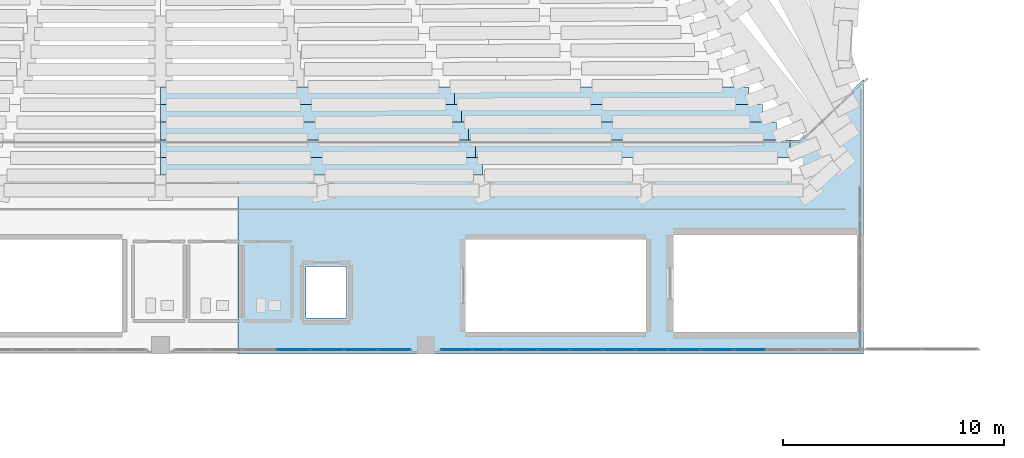
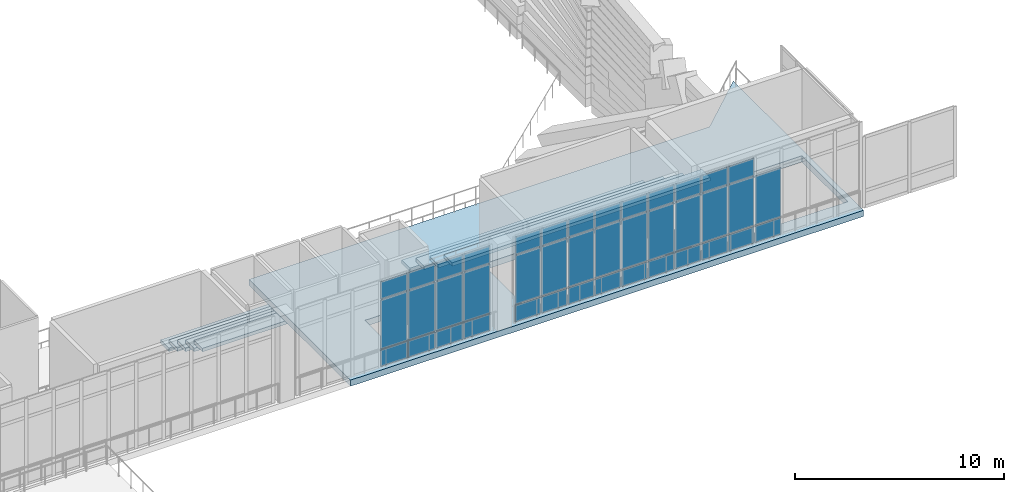
# One storey, part 34 of 55: 41 plates, 10 slabs, 2 elements without a shape of their own.
"""IFC4 building model written with IfcOpenShell, lengths in metres."""

import ifcopenshell
import ifcopenshell.guid

model = None  # the IFC model being written
_history = None  # IfcOwnerHistory: only IFC2X3 demands one
_inside = {}  # id of a spatial element -> (the spatial element, [elements in it])
_under = {}  # id of a project, library or spatial element -> (it, [spatial elements below it])
_declared = {}  # id of a project -> (the project, [libraries it declares])
_typed = {}  # id of a type object -> (the type object, [elements of that type])
_made_of = {}  # id of a material, layer set ... -> (it, [elements and type objects made of it])


def new_model(schema):
    """Start an empty IFC model of exactly this schema.

    Asked for "IFC4X3", IfcOpenShell would pick the latest addendum, in which some entities
    have other attributes; the version numbers below select the first issue.
    IFC2X3 requires an IfcOwnerHistory on every rooted entity: one is made here for all.
    """
    global model, _history
    if schema == "IFC4X3":
        model = ifcopenshell.file(schema_version=(4, 3, 0, 0))
    else:
        model = ifcopenshell.file(schema=schema)
    _inside.clear()
    _under.clear()
    _declared.clear()
    _typed.clear()
    _made_of.clear()
    _history = None
    if model.schema == "IFC2X3":
        org = make("IfcOrganization", Name="unknown")
        user = make(
            "IfcPersonAndOrganization",
            ThePerson=make("IfcPerson", FamilyName="unknown"),
            TheOrganization=org,
        )
        app = make(
            "IfcApplication",
            ApplicationDeveloper=org,
            Version="unknown",
            ApplicationFullName="unknown",
            ApplicationIdentifier="unknown",
        )
        _history = make(
            "IfcOwnerHistory",
            OwningUser=user,
            OwningApplication=app,
            ChangeAction="ADDED",
            CreationDate=0,
        )
    return model


def make(cls, **values):
    """One entity of the class cls with the attributes given. An attribute that is None is left unset."""
    return model.create_entity(
        cls, **{name: value for name, value in values.items() if value is not None}
    )


def rooted(cls, **values):
    """An entity with a GlobalId (a new one), such as an element, a storey or a relation."""
    return make(cls, GlobalId=ifcopenshell.guid.new(), OwnerHistory=_history, **values)


def si_unit(unit_type, name, prefix=None):
    """IfcSIUnit, for example si_unit("LENGTHUNIT", "METRE", prefix="MILLI")."""
    return make("IfcSIUnit", UnitType=unit_type, Prefix=prefix, Name=name)


def derived_unit(unit_type, elements):
    """IfcDerivedUnit: a product of units, each with its exponent."""
    return make(
        "IfcDerivedUnit",
        Elements=[
            make("IfcDerivedUnitElement", Unit=unit, Exponent=power)
            for unit, power in elements
        ],
        UnitType=unit_type,
    )


def assignment(units):
    """IfcUnitAssignment: the units of a project."""
    return None if units is None else make("IfcUnitAssignment", Units=units)


def point(xyz):
    """IfcCartesianPoint."""
    return None if xyz is None else make("IfcCartesianPoint", Coordinates=xyz)


def direction(xyz):
    """IfcDirection."""
    return None if xyz is None else make("IfcDirection", DirectionRatios=xyz)


def frame(location, z_axis=None, x_axis=None):
    """IfcAxis2Placement3D, a coordinate frame: its origin and axes. An axis left out is left unset."""
    return make(
        "IfcAxis2Placement3D",
        Location=point(location),
        Axis=direction(z_axis),
        RefDirection=direction(x_axis),
    )


def frame_2d(location, x_axis=None):
    """IfcAxis2Placement2D, a coordinate frame in the plane: its origin and x axis."""
    return make(
        "IfcAxis2Placement2D", Location=point(location), RefDirection=direction(x_axis)
    )


def origin():
    """The frame at (0, 0, 0) with its axes left unset."""
    return frame((0.0, 0.0, 0.0))


def origin_2d():
    """The frame at (0, 0) in the plane with its x axis left unset."""
    return frame_2d((0.0, 0.0))


def place(relative_to, where):
    """IfcLocalPlacement: puts the frame where relative to a parent placement (None: the world)."""
    return make(
        "IfcLocalPlacement", PlacementRelTo=relative_to, RelativePlacement=where
    )


def context(
    kind, dimensions, precision=None, world=None, true_north=None, identifier=None
):
    """IfcGeometricRepresentationContext, for example the 3D "Model" context."""
    return make(
        "IfcGeometricRepresentationContext",
        ContextIdentifier=identifier,
        ContextType=kind,
        CoordinateSpaceDimension=dimensions,
        Precision=precision,
        WorldCoordinateSystem=world,
        TrueNorth=true_north,
    )


def subcontext(parent, identifier, kind, view, scale=None):
    """IfcGeometricRepresentationSubContext, for example "Body" below "Model"."""
    return make(
        "IfcGeometricRepresentationSubContext",
        ContextIdentifier=identifier,
        ContextType=kind,
        ParentContext=parent,
        TargetScale=scale,
        TargetView=view,
    )


def project(units=None, contexts=None):
    """IfcProject with its units and contexts."""
    return rooted(
        "IfcProject",
        Name="project",
        RepresentationContexts=contexts,
        UnitsInContext=assignment(units),
    )


def spatial(cls, under=None, at=None, **own):
    """A site, building, storey or space (cls), placed at a placement, below another one or the project."""
    s = rooted(cls, ObjectPlacement=at, **own)
    if under is not None:
        _under.setdefault(under.id(), (under, []))[1].append(s)
    return s


def polyline(points):
    """IfcPolyline through the points."""
    return make("IfcPolyline", Points=[point(p) for p in points])


def profile(cls, at=None, kind="AREA", **sizes):
    """A parametric profile (cls). Its sizes go by their IFC names, for example OverallWidth=200.0."""
    return make(cls, ProfileType=kind, Position=at, **sizes)


def rectangle(**sizes):
    """IfcRectangleProfileDef."""
    return profile("IfcRectangleProfileDef", **sizes)


def outline(outer, holes=None, kind="AREA"):
    """IfcArbitraryClosedProfileDef: a profile drawn as a closed curve; with holes, ...WithVoids."""
    if holes is None:
        return make("IfcArbitraryClosedProfileDef", ProfileType=kind, OuterCurve=outer)
    return make(
        "IfcArbitraryProfileDefWithVoids",
        ProfileType=kind,
        OuterCurve=outer,
        InnerCurves=holes,
    )


def extrude(swept, where, along, depth):
    """IfcExtrudedAreaSolid: the profile swept, set in the frame where, extruded along a direction by depth."""
    return make(
        "IfcExtrudedAreaSolid",
        SweptArea=swept,
        Position=where,
        ExtrudedDirection=direction(along),
        Depth=depth,
    )


def shape(context_of_items, identifier, shape_type, items):
    """IfcShapeRepresentation: the items that make up one representation, for example the "Body"."""
    return make(
        "IfcShapeRepresentation",
        ContextOfItems=context_of_items,
        RepresentationIdentifier=identifier,
        RepresentationType=shape_type,
        Items=items,
    )


def material(Name=None, Category=None):
    """IfcMaterial."""
    return make("IfcMaterial", Name=Name, Category=Category)


def layer(
    of_material, thickness, ventilated=None, Name=None, Category=None, Priority=None
):
    """IfcMaterialLayer: one layer of a wall or slab, of a material (None: an air gap)."""
    return make(
        "IfcMaterialLayer",
        Material=of_material,
        LayerThickness=thickness,
        IsVentilated=ventilated,
        Name=Name,
        Category=Category,
        Priority=Priority,
    )


def layer_set(layers, Name=None):
    """IfcMaterialLayerSet."""
    return make("IfcMaterialLayerSet", MaterialLayers=layers, LayerSetName=Name)


def made_of(thing, what):
    """Note that an element or type object is made of a material, layer set ...; save() writes the relation."""
    if what is not None:
        _made_of.setdefault(what.id(), (what, []))[1].append(thing)
    return thing


def type_object(cls, material=None, **own):
    """A type object (cls), such as IfcWallType, which elements share."""
    return made_of(rooted(cls, **own), material)


def element(
    cls,
    number,
    at=None,
    inside=None,
    cuts=None,
    type_object=None,
    material=None,
    context=None,
    identifier="Body",
    shape_type=None,
    held_by="IfcProductDefinitionShape",
    body=None,
    shapes=None,
    **own,
):
    """One element of the class cls, such as IfcWall. Its Tag is "e" and its number.

    at: its placement. inside: the storey or other place that contains it. cuts: it is an
    opening in that element (IfcRelVoidsElement). A single representation is given by context,
    identifier, shape_type and body (its items); several are given by shapes. held_by: the class
    of the entity that holds the representations. save() writes the other relations.
    """
    e = rooted(cls, Tag="e%d" % number, ObjectPlacement=at, **own)
    if body is not None:
        shapes = [shape(context, identifier, shape_type, body)]
    if shapes is not None:
        e.Representation = make(held_by, Representations=shapes)
    if inside is not None:
        _inside.setdefault(inside.id(), (inside, []))[1].append(e)
    if cuts is not None:
        rooted(
            "IfcRelVoidsElement", RelatingBuildingElement=cuts, RelatedOpeningElement=e
        )
    if type_object is not None:
        _typed.setdefault(type_object.id(), (type_object, []))[1].append(e)
    return made_of(e, material)


def aggregate(whole, parts):
    """IfcRelAggregates: a whole, such as a stair, and the parts it consists of."""
    return rooted("IfcRelAggregates", RelatingObject=whole, RelatedObjects=parts)


def save(model, path):
    """Write the relations noted so far, then the file.

    IfcRelAggregates (storeys below a building ...), IfcRelContainedInSpatialStructure (elements
    in a storey), IfcRelDefinesByType, IfcRelAssociatesMaterial and IfcRelDeclares: one each for
    every whole, place, type object, material and project.
    """
    for whole, parts in _under.values():
        aggregate(whole, parts)
    for where, things in _inside.values():
        rooted(
            "IfcRelContainedInSpatialStructure",
            RelatedElements=things,
            RelatingStructure=where,
        )
    for kind, things in _typed.values():
        rooted("IfcRelDefinesByType", RelatedObjects=things, RelatingType=kind)
    for what, things in _made_of.values():
        rooted("IfcRelAssociatesMaterial", RelatedObjects=things, RelatingMaterial=what)
    for by, libraries in _declared.values():
        rooted("IfcRelDeclares", RelatingContext=by, RelatedDefinitions=libraries)
    model.write(path)


model = new_model("IFC4")

# Units and contexts
model_context = context("Model", 3, precision=1e-05, world=origin(), true_north=direction((0.0, 1.0)))
body_context = subcontext(model_context, "Body", "Model", "MODEL_VIEW")
ifc_project = project(units=[si_unit("LENGTHUNIT", "METRE"), si_unit("AREAUNIT", "SQUARE_METRE"), si_unit("VOLUMEUNIT", "CUBIC_METRE"), si_unit("PLANEANGLEUNIT", "RADIAN"), si_unit("MASSUNIT", "GRAM", prefix="KILO"), derived_unit("THERMALTRANSMITTANCEUNIT", [(si_unit("MASSUNIT", "GRAM", prefix="KILO"), 1), (si_unit("TIMEUNIT", "SECOND"), -3), (si_unit("THERMODYNAMICTEMPERATUREUNIT", "KELVIN"), -1)])], contexts=[model_context])

# Site, building, storey
site_placement = place(None, origin())
site = spatial("IfcSite", under=ifc_project, at=site_placement, CompositionType="ELEMENT")
building_placement = place(site_placement, origin())
building = spatial("IfcBuilding", under=site, at=building_placement, Name="Valcora Ridge Arena", CompositionType="ELEMENT")
storey_placement = place(building_placement, frame((0.0, 0.0, 21.0)))
storey = spatial("IfcBuildingStorey", under=building, at=storey_placement, Name="L04", CompositionType="ELEMENT", Elevation=21.0)

# Curtain wall, plates
ifc_material_1 = material(Name="Anodised dark bronze architectural aluminium 6063-T6", Category="aluminium")
ifc_layer_1 = layer(ifc_material_1, 0.179931640625, Name="Anodised dark bronze architectural aluminium 6063-T6")
ifc_layer_set_1 = layer_set([ifc_layer_1], Name="Anodised dark bronze architectural aluminium 6063-T6")
curtain_wall_type_1 = type_object("IfcCurtainWallType", Name="TY-CURTAINWALL-CW-V1-GOTH-192X51", PredefinedType="NOTDEFINED", material=ifc_layer_set_1)
curtain_wall_1_placement = place(storey_placement, origin())
curtain_wall_1 = element("IfcCurtainWall", 1, at=curtain_wall_1_placement, inside=storey, type_object=curtain_wall_type_1, Name="CW-V1-GOTH-192X51 CW-0156", PredefinedType="NOTDEFINED")
ifc_material_2 = material(Name="Low-iron solar-control double glazing SHGC 0.28", Category="glass")
ifc_layer_2 = layer(ifc_material_2, 0.031982421875, Name="Low-iron solar-control double glazing SHGC 0.28")
ifc_layer_set_2 = layer_set([ifc_layer_2], Name="Low-iron solar-control double glazing SHGC 0.28")
plate_type_1 = type_object("IfcPlateType", Name="TY-PLT-CWP-1384X0960", PredefinedType="CURTAIN_PANEL", material=ifc_layer_set_2)
plate_1_placement = place(storey_placement, frame((71.39208984375, 20.199951171875, 0.06005859375), z_axis=(0.0, 0.0, 1.0), x_axis=(1.0, 0.0, 0.0)))
plate_1 = element("IfcPlate", 2, at=plate_1_placement, type_object=plate_type_1, Name="CW-0156/P00-00", PredefinedType="CURTAIN_PANEL", context=body_context, shape_type="SweptSolid", body=[
    extrude(rectangle(XDim=1.384033203125, YDim=0.031982421875, at=origin_2d()), origin(), (0.0, 0.0, 1.0), 0.9599609375),
])
ifc_layer_3 = layer(ifc_material_2, 0.031982421875, Name="Low-iron solar-control double glazing SHGC 0.28")
ifc_layer_set_3 = layer_set([ifc_layer_3], Name="Low-iron solar-control double glazing SHGC 0.28")
plate_type_2 = type_object("IfcPlateType", Name="TY-PLT-CWP-1384X1010", PredefinedType="CURTAIN_PANEL", material=ifc_layer_set_3)
plate_2_placement = place(storey_placement, frame((71.39208984375, 20.199951171875, 3.990234375), z_axis=(0.0, 0.0, 1.0), x_axis=(1.0, 0.0, 0.0)))
plate_2 = element("IfcPlate", 3, at=plate_2_placement, type_object=plate_type_2, Name="CW-0156/P00-02", PredefinedType="CURTAIN_PANEL", context=body_context, shape_type="SweptSolid", body=[
    extrude(rectangle(XDim=1.384033203125, YDim=0.031982421875, at=origin_2d()), origin(), (0.0, 0.0, 1.0), 1.010009765625),
])
ifc_layer_4 = layer(ifc_material_2, 0.031982421875, Name="Low-iron solar-control double glazing SHGC 0.28")
ifc_layer_set_4 = layer_set([ifc_layer_4], Name="Low-iron solar-control double glazing SHGC 0.28")
plate_type_3 = type_object("IfcPlateType", Name="TY-PLT-CWP-1384X2850", PredefinedType="CURTAIN_PANEL", material=ifc_layer_set_4)
plate_3_placement = place(storey_placement, frame((71.39208984375, 20.199951171875, 1.079833984375), z_axis=(0.0, 0.0, 1.0), x_axis=(1.0, 0.0, 0.0)))
plate_3 = element("IfcPlate", 4, at=plate_3_placement, type_object=plate_type_3, Name="CW-0156/P00-01", PredefinedType="CURTAIN_PANEL", context=body_context, shape_type="SweptSolid", body=[
    extrude(rectangle(XDim=1.384033203125, YDim=0.031982421875, at=origin_2d()), origin(), (0.0, 0.0, 1.0), 2.85009765625),
])
ifc_layer_5 = layer(ifc_material_2, 0.031982421875, Name="Low-iron solar-control double glazing SHGC 0.28")
ifc_layer_set_5 = layer_set([ifc_layer_5], Name="Low-iron solar-control double glazing SHGC 0.28")
plate_type_4 = type_object("IfcPlateType", Name="TY-PLT-CWP-1413X0960", PredefinedType="CURTAIN_PANEL", material=ifc_layer_set_5)
plate_4_placement = place(storey_placement, frame((75.798583984375, 20.199951171875, 0.06005859375), z_axis=(0.0, 0.0, 1.0), x_axis=(1.0, 0.0, 0.0)))
plate_4 = element("IfcPlate", 5, at=plate_4_placement, type_object=plate_type_4, Name="CW-0156/P03-00", PredefinedType="CURTAIN_PANEL", context=body_context, shape_type="SweptSolid", body=[
    extrude(rectangle(XDim=1.4130859375, YDim=0.031982421875, at=origin_2d()), origin(), (0.0, 0.0, 1.0), 0.9599609375),
])
plate_5_placement = place(storey_placement, frame((84.6416015625, 20.199951171875, 0.06005859375), z_axis=(0.0, 0.0, 1.0), x_axis=(1.0, 0.0, 0.0)))
plate_5 = element("IfcPlate", 6, at=plate_5_placement, type_object=plate_type_4, Name="CW-0156/P09-00", PredefinedType="CURTAIN_PANEL", context=body_context, shape_type="SweptSolid", body=[
    extrude(rectangle(XDim=1.4130859375, YDim=0.031982421875, at=origin_2d()), origin(), (0.0, 0.0, 1.0), 0.9599609375),
])
ifc_layer_6 = layer(ifc_material_2, 0.031982421875, Name="Low-iron solar-control double glazing SHGC 0.28")
ifc_layer_set_6 = layer_set([ifc_layer_6], Name="Low-iron solar-control double glazing SHGC 0.28")
plate_type_5 = type_object("IfcPlateType", Name="TY-PLT-CWP-1413X1010", PredefinedType="CURTAIN_PANEL", material=ifc_layer_set_6)
plate_6_placement = place(storey_placement, frame((75.798583984375, 20.199951171875, 3.990234375), z_axis=(0.0, 0.0, 1.0), x_axis=(1.0, 0.0, 0.0)))
plate_6 = element("IfcPlate", 7, at=plate_6_placement, type_object=plate_type_5, Name="CW-0156/P03-02", PredefinedType="CURTAIN_PANEL", context=body_context, shape_type="SweptSolid", body=[
    extrude(rectangle(XDim=1.4130859375, YDim=0.031982421875, at=origin_2d()), origin(), (0.0, 0.0, 1.0), 1.010009765625),
])
ifc_layer_7 = layer(ifc_material_2, 0.031982421875, Name="Low-iron solar-control double glazing SHGC 0.28")
ifc_layer_set_7 = layer_set([ifc_layer_7], Name="Low-iron solar-control double glazing SHGC 0.28")
plate_type_6 = type_object("IfcPlateType", Name="TY-PLT-CWP-1413X2850", PredefinedType="CURTAIN_PANEL", material=ifc_layer_set_7)
plate_7_placement = place(storey_placement, frame((75.798583984375, 20.199951171875, 1.079833984375), z_axis=(0.0, 0.0, 1.0), x_axis=(1.0, 0.0, 0.0)))
plate_7 = element("IfcPlate", 8, at=plate_7_placement, type_object=plate_type_6, Name="CW-0156/P03-01", PredefinedType="CURTAIN_PANEL", context=body_context, shape_type="SweptSolid", body=[
    extrude(rectangle(XDim=1.4130859375, YDim=0.031982421875, at=origin_2d()), origin(), (0.0, 0.0, 1.0), 2.85009765625),
])
plate_8_placement = place(storey_placement, frame((84.6416015625, 20.199951171875, 1.079833984375), z_axis=(0.0, 0.0, 1.0), x_axis=(1.0, 0.0, 0.0)))
plate_8 = element("IfcPlate", 9, at=plate_8_placement, type_object=plate_type_6, Name="CW-0156/P09-01", PredefinedType="CURTAIN_PANEL", context=body_context, shape_type="SweptSolid", body=[
    extrude(rectangle(XDim=1.4130859375, YDim=0.031982421875, at=origin_2d()), origin(), (0.0, 0.0, 1.0), 2.85009765625),
])
ifc_layer_8 = layer(ifc_material_2, 0.031982421875, Name="Low-iron solar-control double glazing SHGC 0.28")
ifc_layer_set_8 = layer_set([ifc_layer_8], Name="Low-iron solar-control double glazing SHGC 0.28")
plate_type_7 = type_object("IfcPlateType", Name="TY-PLT-CWP-1414X0960", PredefinedType="CURTAIN_PANEL", material=ifc_layer_set_8)
plate_9_placement = place(storey_placement, frame((72.85107421875, 20.199951171875, 0.06005859375), z_axis=(0.0, 0.0, 1.0), x_axis=(1.0, 0.0, 0.0)))
plate_9 = element("IfcPlate", 10, at=plate_9_placement, type_object=plate_type_7, Name="CW-0156/P01-00", PredefinedType="CURTAIN_PANEL", context=body_context, shape_type="SweptSolid", body=[
    extrude(rectangle(XDim=1.4140625, YDim=0.031982421875, at=origin_2d()), origin(), (0.0, 0.0, 1.0), 0.9599609375),
])
plate_10_placement = place(storey_placement, frame((74.324951171875, 20.199951171875, 0.06005859375), z_axis=(0.0, 0.0, 1.0), x_axis=(1.0, 0.0, 0.0)))
plate_10 = element("IfcPlate", 11, at=plate_10_placement, type_object=plate_type_7, Name="CW-0156/P02-00", PredefinedType="CURTAIN_PANEL", context=body_context, shape_type="SweptSolid", body=[
    extrude(rectangle(XDim=1.4140625, YDim=0.031982421875, at=origin_2d()), origin(), (0.0, 0.0, 1.0), 0.9599609375),
])
plate_11_placement = place(storey_placement, frame((77.27197265625, 20.199951171875, 0.06005859375), z_axis=(0.0, 0.0, 1.0), x_axis=(1.0, 0.0, 0.0)))
plate_11 = element("IfcPlate", 12, at=plate_11_placement, type_object=plate_type_7, Name="CW-0156/P04-00", PredefinedType="CURTAIN_PANEL", context=body_context, shape_type="SweptSolid", body=[
    extrude(rectangle(XDim=1.4140625, YDim=0.031982421875, at=origin_2d()), origin(), (0.0, 0.0, 1.0), 0.9599609375),
])
plate_12_placement = place(storey_placement, frame((78.74609375, 20.199951171875, 0.06005859375), z_axis=(0.0, 0.0, 1.0), x_axis=(1.0, 0.0, 0.0)))
plate_12 = element("IfcPlate", 13, at=plate_12_placement, type_object=plate_type_7, Name="CW-0156/P05-00", PredefinedType="CURTAIN_PANEL", context=body_context, shape_type="SweptSolid", body=[
    extrude(rectangle(XDim=1.4140625, YDim=0.031982421875, at=origin_2d()), origin(), (0.0, 0.0, 1.0), 0.9599609375),
])
plate_13_placement = place(storey_placement, frame((80.219970703125, 20.199951171875, 0.06005859375), z_axis=(0.0, 0.0, 1.0), x_axis=(1.0, 0.0, 0.0)))
plate_13 = element("IfcPlate", 14, at=plate_13_placement, type_object=plate_type_7, Name="CW-0156/P06-00", PredefinedType="CURTAIN_PANEL", context=body_context, shape_type="SweptSolid", body=[
    extrude(rectangle(XDim=1.4140625, YDim=0.031982421875, at=origin_2d()), origin(), (0.0, 0.0, 1.0), 0.9599609375),
])
plate_14_placement = place(storey_placement, frame((81.694091796875, 20.199951171875, 0.06005859375), z_axis=(0.0, 0.0, 1.0), x_axis=(1.0, 0.0, 0.0)))
plate_14 = element("IfcPlate", 15, at=plate_14_placement, type_object=plate_type_7, Name="CW-0156/P07-00", PredefinedType="CURTAIN_PANEL", context=body_context, shape_type="SweptSolid", body=[
    extrude(rectangle(XDim=1.4140625, YDim=0.031982421875, at=origin_2d()), origin(), (0.0, 0.0, 1.0), 0.9599609375),
])
plate_15_placement = place(storey_placement, frame((83.16796875, 20.199951171875, 0.06005859375), z_axis=(0.0, 0.0, 1.0), x_axis=(1.0, 0.0, 0.0)))
plate_15 = element("IfcPlate", 16, at=plate_15_placement, type_object=plate_type_7, Name="CW-0156/P08-00", PredefinedType="CURTAIN_PANEL", context=body_context, shape_type="SweptSolid", body=[
    extrude(rectangle(XDim=1.4140625, YDim=0.031982421875, at=origin_2d()), origin(), (0.0, 0.0, 1.0), 0.9599609375),
])
ifc_layer_9 = layer(ifc_material_2, 0.031982421875, Name="Low-iron solar-control double glazing SHGC 0.28")
ifc_layer_set_9 = layer_set([ifc_layer_9], Name="Low-iron solar-control double glazing SHGC 0.28")
plate_type_8 = type_object("IfcPlateType", Name="TY-PLT-CWP-1414X1010", PredefinedType="CURTAIN_PANEL", material=ifc_layer_set_9)
plate_16_placement = place(storey_placement, frame((72.85107421875, 20.199951171875, 3.990234375), z_axis=(0.0, 0.0, 1.0), x_axis=(1.0, 0.0, 0.0)))
plate_16 = element("IfcPlate", 17, at=plate_16_placement, type_object=plate_type_8, Name="CW-0156/P01-02", PredefinedType="CURTAIN_PANEL", context=body_context, shape_type="SweptSolid", body=[
    extrude(rectangle(XDim=1.4140625, YDim=0.031982421875, at=origin_2d()), origin(), (0.0, 0.0, 1.0), 1.010009765625),
])
plate_17_placement = place(storey_placement, frame((74.324951171875, 20.199951171875, 3.990234375), z_axis=(0.0, 0.0, 1.0), x_axis=(1.0, 0.0, 0.0)))
plate_17 = element("IfcPlate", 18, at=plate_17_placement, type_object=plate_type_8, Name="CW-0156/P02-02", PredefinedType="CURTAIN_PANEL", context=body_context, shape_type="SweptSolid", body=[
    extrude(rectangle(XDim=1.4140625, YDim=0.031982421875, at=origin_2d()), origin(), (0.0, 0.0, 1.0), 1.010009765625),
])
plate_18_placement = place(storey_placement, frame((77.27197265625, 20.199951171875, 3.990234375), z_axis=(0.0, 0.0, 1.0), x_axis=(1.0, 0.0, 0.0)))
plate_18 = element("IfcPlate", 19, at=plate_18_placement, type_object=plate_type_8, Name="CW-0156/P04-02", PredefinedType="CURTAIN_PANEL", context=body_context, shape_type="SweptSolid", body=[
    extrude(rectangle(XDim=1.4140625, YDim=0.031982421875, at=origin_2d()), origin(), (0.0, 0.0, 1.0), 1.010009765625),
])
plate_19_placement = place(storey_placement, frame((78.74609375, 20.199951171875, 3.990234375), z_axis=(0.0, 0.0, 1.0), x_axis=(1.0, 0.0, 0.0)))
plate_19 = element("IfcPlate", 20, at=plate_19_placement, type_object=plate_type_8, Name="CW-0156/P05-02", PredefinedType="CURTAIN_PANEL", context=body_context, shape_type="SweptSolid", body=[
    extrude(rectangle(XDim=1.4140625, YDim=0.031982421875, at=origin_2d()), origin(), (0.0, 0.0, 1.0), 1.010009765625),
])
plate_20_placement = place(storey_placement, frame((80.219970703125, 20.199951171875, 3.990234375), z_axis=(0.0, 0.0, 1.0), x_axis=(1.0, 0.0, 0.0)))
plate_20 = element("IfcPlate", 21, at=plate_20_placement, type_object=plate_type_8, Name="CW-0156/P06-02", PredefinedType="CURTAIN_PANEL", context=body_context, shape_type="SweptSolid", body=[
    extrude(rectangle(XDim=1.4140625, YDim=0.031982421875, at=origin_2d()), origin(), (0.0, 0.0, 1.0), 1.010009765625),
])
plate_21_placement = place(storey_placement, frame((81.694091796875, 20.199951171875, 3.990234375), z_axis=(0.0, 0.0, 1.0), x_axis=(1.0, 0.0, 0.0)))
plate_21 = element("IfcPlate", 22, at=plate_21_placement, type_object=plate_type_8, Name="CW-0156/P07-02", PredefinedType="CURTAIN_PANEL", context=body_context, shape_type="SweptSolid", body=[
    extrude(rectangle(XDim=1.4140625, YDim=0.031982421875, at=origin_2d()), origin(), (0.0, 0.0, 1.0), 1.010009765625),
])
plate_22_placement = place(storey_placement, frame((83.16796875, 20.199951171875, 3.990234375), z_axis=(0.0, 0.0, 1.0), x_axis=(1.0, 0.0, 0.0)))
plate_22 = element("IfcPlate", 23, at=plate_22_placement, type_object=plate_type_8, Name="CW-0156/P08-02", PredefinedType="CURTAIN_PANEL", context=body_context, shape_type="SweptSolid", body=[
    extrude(rectangle(XDim=1.4140625, YDim=0.031982421875, at=origin_2d()), origin(), (0.0, 0.0, 1.0), 1.010009765625),
])
ifc_layer_10 = layer(ifc_material_2, 0.031982421875, Name="Low-iron solar-control double glazing SHGC 0.28")
ifc_layer_set_10 = layer_set([ifc_layer_10], Name="Low-iron solar-control double glazing SHGC 0.28")
plate_type_9 = type_object("IfcPlateType", Name="TY-PLT-CWP-1414X2850", PredefinedType="CURTAIN_PANEL", material=ifc_layer_set_10)
plate_23_placement = place(storey_placement, frame((72.85107421875, 20.199951171875, 1.079833984375), z_axis=(0.0, 0.0, 1.0), x_axis=(1.0, 0.0, 0.0)))
plate_23 = element("IfcPlate", 24, at=plate_23_placement, type_object=plate_type_9, Name="CW-0156/P01-01", PredefinedType="CURTAIN_PANEL", context=body_context, shape_type="SweptSolid", body=[
    extrude(rectangle(XDim=1.4140625, YDim=0.031982421875, at=origin_2d()), origin(), (0.0, 0.0, 1.0), 2.85009765625),
])
plate_24_placement = place(storey_placement, frame((74.324951171875, 20.199951171875, 1.079833984375), z_axis=(0.0, 0.0, 1.0), x_axis=(1.0, 0.0, 0.0)))
plate_24 = element("IfcPlate", 25, at=plate_24_placement, type_object=plate_type_9, Name="CW-0156/P02-01", PredefinedType="CURTAIN_PANEL", context=body_context, shape_type="SweptSolid", body=[
    extrude(rectangle(XDim=1.4140625, YDim=0.031982421875, at=origin_2d()), origin(), (0.0, 0.0, 1.0), 2.85009765625),
])
plate_25_placement = place(storey_placement, frame((77.27197265625, 20.199951171875, 1.079833984375), z_axis=(0.0, 0.0, 1.0), x_axis=(1.0, 0.0, 0.0)))
plate_25 = element("IfcPlate", 26, at=plate_25_placement, type_object=plate_type_9, Name="CW-0156/P04-01", PredefinedType="CURTAIN_PANEL", context=body_context, shape_type="SweptSolid", body=[
    extrude(rectangle(XDim=1.4140625, YDim=0.031982421875, at=origin_2d()), origin(), (0.0, 0.0, 1.0), 2.85009765625),
])
plate_26_placement = place(storey_placement, frame((78.74609375, 20.199951171875, 1.079833984375), z_axis=(0.0, 0.0, 1.0), x_axis=(1.0, 0.0, 0.0)))
plate_26 = element("IfcPlate", 27, at=plate_26_placement, type_object=plate_type_9, Name="CW-0156/P05-01", PredefinedType="CURTAIN_PANEL", context=body_context, shape_type="SweptSolid", body=[
    extrude(rectangle(XDim=1.4140625, YDim=0.031982421875, at=origin_2d()), origin(), (0.0, 0.0, 1.0), 2.85009765625),
])
plate_27_placement = place(storey_placement, frame((80.219970703125, 20.199951171875, 1.079833984375), z_axis=(0.0, 0.0, 1.0), x_axis=(1.0, 0.0, 0.0)))
plate_27 = element("IfcPlate", 28, at=plate_27_placement, type_object=plate_type_9, Name="CW-0156/P06-01", PredefinedType="CURTAIN_PANEL", context=body_context, shape_type="SweptSolid", body=[
    extrude(rectangle(XDim=1.4140625, YDim=0.031982421875, at=origin_2d()), origin(), (0.0, 0.0, 1.0), 2.85009765625),
])
plate_28_placement = place(storey_placement, frame((81.694091796875, 20.199951171875, 1.079833984375), z_axis=(0.0, 0.0, 1.0), x_axis=(1.0, 0.0, 0.0)))
plate_28 = element("IfcPlate", 29, at=plate_28_placement, type_object=plate_type_9, Name="CW-0156/P07-01", PredefinedType="CURTAIN_PANEL", context=body_context, shape_type="SweptSolid", body=[
    extrude(rectangle(XDim=1.4140625, YDim=0.031982421875, at=origin_2d()), origin(), (0.0, 0.0, 1.0), 2.85009765625),
])
plate_29_placement = place(storey_placement, frame((83.16796875, 20.199951171875, 1.079833984375), z_axis=(0.0, 0.0, 1.0), x_axis=(1.0, 0.0, 0.0)))
plate_29 = element("IfcPlate", 30, at=plate_29_placement, type_object=plate_type_9, Name="CW-0156/P08-01", PredefinedType="CURTAIN_PANEL", context=body_context, shape_type="SweptSolid", body=[
    extrude(rectangle(XDim=1.4140625, YDim=0.031982421875, at=origin_2d()), origin(), (0.0, 0.0, 1.0), 2.85009765625),
])
aggregate(curtain_wall_1, [plate_1, plate_3, plate_2, plate_9, plate_23, plate_16, plate_10, plate_24, plate_17, plate_4, plate_7, plate_6, plate_11, plate_25, plate_18, plate_12, plate_26, plate_19, plate_13, plate_27, plate_20, plate_14, plate_28, plate_21, plate_15, plate_29, plate_22, plate_5, plate_8])

ifc_layer_11 = layer(ifc_material_1, 0.179931640625, Name="Anodised dark bronze architectural aluminium 6063-T6")
ifc_layer_set_11 = layer_set([ifc_layer_11], Name="Anodised dark bronze architectural aluminium 6063-T6")
curtain_wall_type_2 = type_object("IfcCurtainWallType", Name="TY-CURTAINWALL-CW-V1-GOTH-107X51", PredefinedType="NOTDEFINED", material=ifc_layer_set_11)
curtain_wall_2_placement = place(storey_placement, origin())
curtain_wall_2 = element("IfcCurtainWall", 31, at=curtain_wall_2_placement, inside=storey, type_object=curtain_wall_type_2, Name="CW-V1-GOTH-107X51 CW-0155", PredefinedType="NOTDEFINED")
ifc_layer_12 = layer(ifc_material_2, 0.031982421875, Name="Low-iron solar-control double glazing SHGC 0.28")
ifc_layer_set_12 = layer_set([ifc_layer_12], Name="Low-iron solar-control double glazing SHGC 0.28")
plate_type_10 = type_object("IfcPlateType", Name="TY-PLT-CWP-1441X0960", PredefinedType="CURTAIN_PANEL", material=ifc_layer_set_12)
plate_30_placement = place(storey_placement, frame((68.57958984375, 20.199951171875, 0.06005859375), z_axis=(0.0, 0.0, 1.0), x_axis=(1.0, 0.0, 0.0)))
plate_30 = element("IfcPlate", 32, at=plate_30_placement, type_object=plate_type_10, Name="CW-0155/P06-00", PredefinedType="CURTAIN_PANEL", context=body_context, shape_type="SweptSolid", body=[
    extrude(rectangle(XDim=1.44091796875, YDim=0.031982421875, at=origin_2d()), origin(), (0.0, 0.0, 1.0), 0.9599609375),
])
ifc_layer_13 = layer(ifc_material_2, 0.031982421875, Name="Low-iron solar-control double glazing SHGC 0.28")
ifc_layer_set_13 = layer_set([ifc_layer_13], Name="Low-iron solar-control double glazing SHGC 0.28")
plate_type_11 = type_object("IfcPlateType", Name="TY-PLT-CWP-1441X1010", PredefinedType="CURTAIN_PANEL", material=ifc_layer_set_13)
plate_31_placement = place(storey_placement, frame((68.57958984375, 20.199951171875, 3.990234375), z_axis=(0.0, 0.0, 1.0), x_axis=(1.0, 0.0, 0.0)))
plate_31 = element("IfcPlate", 33, at=plate_31_placement, type_object=plate_type_11, Name="CW-0155/P06-02", PredefinedType="CURTAIN_PANEL", context=body_context, shape_type="SweptSolid", body=[
    extrude(rectangle(XDim=1.44091796875, YDim=0.031982421875, at=origin_2d()), origin(), (0.0, 0.0, 1.0), 1.010009765625),
])
ifc_layer_14 = layer(ifc_material_2, 0.031982421875, Name="Low-iron solar-control double glazing SHGC 0.28")
ifc_layer_set_14 = layer_set([ifc_layer_14], Name="Low-iron solar-control double glazing SHGC 0.28")
plate_type_12 = type_object("IfcPlateType", Name="TY-PLT-CWP-1441X2850", PredefinedType="CURTAIN_PANEL", material=ifc_layer_set_14)
plate_32_placement = place(storey_placement, frame((68.57958984375, 20.199951171875, 1.079833984375), z_axis=(0.0, 0.0, 1.0), x_axis=(1.0, 0.0, 0.0)))
plate_32 = element("IfcPlate", 34, at=plate_32_placement, type_object=plate_type_12, Name="CW-0155/P06-01", PredefinedType="CURTAIN_PANEL", context=body_context, shape_type="SweptSolid", body=[
    extrude(rectangle(XDim=1.44091796875, YDim=0.031982421875, at=origin_2d()), origin(), (0.0, 0.0, 1.0), 2.85009765625),
])
ifc_layer_15 = layer(ifc_material_2, 0.031982421875, Name="Low-iron solar-control double glazing SHGC 0.28")
ifc_layer_set_15 = layer_set([ifc_layer_15], Name="Low-iron solar-control double glazing SHGC 0.28")
plate_type_13 = type_object("IfcPlateType", Name="TY-PLT-CWP-1471X0960", PredefinedType="CURTAIN_PANEL", material=ifc_layer_set_15)
plate_33_placement = place(storey_placement, frame((65.531494140625, 20.199951171875, 0.06005859375), z_axis=(0.0, 0.0, 1.0), x_axis=(1.0, 0.0, 0.0)))
plate_33 = element("IfcPlate", 35, at=plate_33_placement, type_object=plate_type_13, Name="CW-0155/P04-00", PredefinedType="CURTAIN_PANEL", context=body_context, shape_type="SweptSolid", body=[
    extrude(rectangle(XDim=1.470947265625, YDim=0.031982421875, at=origin_2d()), origin(), (0.0, 0.0, 1.0), 0.9599609375),
])
ifc_layer_16 = layer(ifc_material_2, 0.031982421875, Name="Low-iron solar-control double glazing SHGC 0.28")
ifc_layer_set_16 = layer_set([ifc_layer_16], Name="Low-iron solar-control double glazing SHGC 0.28")
plate_type_14 = type_object("IfcPlateType", Name="TY-PLT-CWP-1471X1010", PredefinedType="CURTAIN_PANEL", material=ifc_layer_set_16)
plate_34_placement = place(storey_placement, frame((65.531494140625, 20.199951171875, 3.990234375), z_axis=(0.0, 0.0, 1.0), x_axis=(1.0, 0.0, 0.0)))
plate_34 = element("IfcPlate", 36, at=plate_34_placement, type_object=plate_type_14, Name="CW-0155/P04-02", PredefinedType="CURTAIN_PANEL", context=body_context, shape_type="SweptSolid", body=[
    extrude(rectangle(XDim=1.470947265625, YDim=0.031982421875, at=origin_2d()), origin(), (0.0, 0.0, 1.0), 1.010009765625),
])
ifc_layer_17 = layer(ifc_material_2, 0.031982421875, Name="Low-iron solar-control double glazing SHGC 0.28")
ifc_layer_set_17 = layer_set([ifc_layer_17], Name="Low-iron solar-control double glazing SHGC 0.28")
plate_type_15 = type_object("IfcPlateType", Name="TY-PLT-CWP-1471X2850", PredefinedType="CURTAIN_PANEL", material=ifc_layer_set_17)
plate_35_placement = place(storey_placement, frame((65.531494140625, 20.199951171875, 1.079833984375), z_axis=(0.0, 0.0, 1.0), x_axis=(1.0, 0.0, 0.0)))
plate_35 = element("IfcPlate", 37, at=plate_35_placement, type_object=plate_type_15, Name="CW-0155/P04-01", PredefinedType="CURTAIN_PANEL", context=body_context, shape_type="SweptSolid", body=[
    extrude(rectangle(XDim=1.470947265625, YDim=0.031982421875, at=origin_2d()), origin(), (0.0, 0.0, 1.0), 2.85009765625),
])
ifc_layer_18 = layer(ifc_material_2, 0.031982421875, Name="Low-iron solar-control double glazing SHGC 0.28")
ifc_layer_set_18 = layer_set([ifc_layer_18], Name="Low-iron solar-control double glazing SHGC 0.28")
plate_type_16 = type_object("IfcPlateType", Name="TY-PLT-CWP-1472X0960", PredefinedType="CURTAIN_PANEL", material=ifc_layer_set_18)
plate_36_placement = place(storey_placement, frame((64.0, 20.199951171875, 0.06005859375), z_axis=(0.0, 0.0, 1.0), x_axis=(1.0, 0.0, 0.0)))
plate_36 = element("IfcPlate", 38, at=plate_36_placement, type_object=plate_type_16, Name="CW-0155/P03-00", PredefinedType="CURTAIN_PANEL", context=body_context, shape_type="SweptSolid", body=[
    extrude(rectangle(XDim=1.471923828125, YDim=0.031982421875, at=origin_2d()), origin(), (0.0, 0.0, 1.0), 0.9599609375),
])
plate_37_placement = place(storey_placement, frame((67.06298828125, 20.199951171875, 0.06005859375), z_axis=(0.0, 0.0, 1.0), x_axis=(1.0, 0.0, 0.0)))
plate_37 = element("IfcPlate", 39, at=plate_37_placement, type_object=plate_type_16, Name="CW-0155/P05-00", PredefinedType="CURTAIN_PANEL", context=body_context, shape_type="SweptSolid", body=[
    extrude(rectangle(XDim=1.471923828125, YDim=0.031982421875, at=origin_2d()), origin(), (0.0, 0.0, 1.0), 0.9599609375),
])
ifc_layer_19 = layer(ifc_material_2, 0.031982421875, Name="Low-iron solar-control double glazing SHGC 0.28")
ifc_layer_set_19 = layer_set([ifc_layer_19], Name="Low-iron solar-control double glazing SHGC 0.28")
plate_type_17 = type_object("IfcPlateType", Name="TY-PLT-CWP-1472X1010", PredefinedType="CURTAIN_PANEL", material=ifc_layer_set_19)
plate_38_placement = place(storey_placement, frame((64.0, 20.199951171875, 3.990234375), z_axis=(0.0, 0.0, 1.0), x_axis=(1.0, 0.0, 0.0)))
plate_38 = element("IfcPlate", 40, at=plate_38_placement, type_object=plate_type_17, Name="CW-0155/P03-02", PredefinedType="CURTAIN_PANEL", context=body_context, shape_type="SweptSolid", body=[
    extrude(rectangle(XDim=1.471923828125, YDim=0.031982421875, at=origin_2d()), origin(), (0.0, 0.0, 1.0), 1.010009765625),
])
plate_39_placement = place(storey_placement, frame((67.06298828125, 20.199951171875, 3.990234375), z_axis=(0.0, 0.0, 1.0), x_axis=(1.0, 0.0, 0.0)))
plate_39 = element("IfcPlate", 41, at=plate_39_placement, type_object=plate_type_17, Name="CW-0155/P05-02", PredefinedType="CURTAIN_PANEL", context=body_context, shape_type="SweptSolid", body=[
    extrude(rectangle(XDim=1.471923828125, YDim=0.031982421875, at=origin_2d()), origin(), (0.0, 0.0, 1.0), 1.010009765625),
])
ifc_layer_20 = layer(ifc_material_2, 0.031982421875, Name="Low-iron solar-control double glazing SHGC 0.28")
ifc_layer_set_20 = layer_set([ifc_layer_20], Name="Low-iron solar-control double glazing SHGC 0.28")
plate_type_18 = type_object("IfcPlateType", Name="TY-PLT-CWP-1472X2850", PredefinedType="CURTAIN_PANEL", material=ifc_layer_set_20)
plate_40_placement = place(storey_placement, frame((64.0, 20.199951171875, 1.079833984375), z_axis=(0.0, 0.0, 1.0), x_axis=(1.0, 0.0, 0.0)))
plate_40 = element("IfcPlate", 42, at=plate_40_placement, type_object=plate_type_18, Name="CW-0155/P03-01", PredefinedType="CURTAIN_PANEL", context=body_context, shape_type="SweptSolid", body=[
    extrude(rectangle(XDim=1.471923828125, YDim=0.031982421875, at=origin_2d()), origin(), (0.0, 0.0, 1.0), 2.85009765625),
])
plate_41_placement = place(storey_placement, frame((67.06298828125, 20.199951171875, 1.079833984375), z_axis=(0.0, 0.0, 1.0), x_axis=(1.0, 0.0, 0.0)))
plate_41 = element("IfcPlate", 43, at=plate_41_placement, type_object=plate_type_18, Name="CW-0155/P05-01", PredefinedType="CURTAIN_PANEL", context=body_context, shape_type="SweptSolid", body=[
    extrude(rectangle(XDim=1.471923828125, YDim=0.031982421875, at=origin_2d()), origin(), (0.0, 0.0, 1.0), 2.85009765625),
])
aggregate(curtain_wall_2, [plate_36, plate_40, plate_38, plate_33, plate_35, plate_34, plate_37, plate_41, plate_39, plate_30, plate_32, plate_31])

# Slabs
ifc_material_3 = material(Name="Concrete C40/50", Category="concrete")
ifc_layer_21 = layer(ifc_material_3, 0.360107421875, Name="Concrete C40/50")
ifc_layer_set_21 = layer_set([ifc_layer_21], Name="Concrete C40/50")
slab_type_1 = type_object("IfcSlabType", Name="TY-SLAB-SL-UPPR-360-SE", PredefinedType="FLOOR", material=ifc_layer_set_21)
slab_1_placement = place(storey_placement, frame((0.0, 0.0, -0.360107421875)))
element("IfcSlab", 44, at=slab_1_placement, inside=storey, type_object=slab_type_1, Name="SL-UPPR-360-SE SLB-0050", PredefinedType="FLOOR", context=body_context, shape_type="SweptSolid", body=[
    extrude(outline(polyline([(86.89990234375, 29.699951171875), (61.5, 29.699951171875), (61.5, 20.0), (89.800048828125, 20.0), (89.800048828125, 32.434326171875), (86.89990234375, 29.699951171875)]), holes=[polyline([(71.800048828125, 21.0), (79.9599609375, 21.0), (79.9599609375, 25.199951171875), (71.800048828125, 25.199951171875), (71.800048828125, 21.0)]), polyline([(81.199951171875, 21.0), (89.52001953125, 21.0), (89.52001953125, 25.39990234375), (81.199951171875, 25.39990234375), (81.199951171875, 21.0)]), polyline([(64.580078125, 23.969970703125), (64.580078125, 21.6298828125), (66.419921875, 21.6298828125), (66.419921875, 23.969970703125), (64.580078125, 23.969970703125)])]), origin(), (0.0, 0.0, 1.0), 0.360107421875),
])
ifc_material_4 = material(Name="Precast concrete C45/55", Category="concrete")
ifc_layer_22 = layer(ifc_material_4, 0.199951171875, Name="Precast concrete C45/55")
ifc_layer_set_22 = layer_set([ifc_layer_22], Name="Precast concrete C45/55")
slab_type_2 = type_object("IfcSlabType", Name="TY-SLAB-ST-UPP-L133", PredefinedType="USERDEFINED", material=ifc_layer_set_22)
slab_2_placement = place(storey_placement, frame((0.0, 0.0, -3.9599609375)))
element("IfcSlab", 45, at=slab_2_placement, inside=storey, type_object=slab_type_2, Name="ST-UPP-L133 SLB-TR-0555", ObjectType="SEATING TIER", PredefinedType="USERDEFINED", context=body_context, shape_type="SweptSolid", body=[
    extrude(outline(polyline([(58.0, 32.10009765625), (71.30810546875, 32.10009765625), (71.30810546875, 31.300048828125), (58.0, 31.300048828125), (58.0, 32.10009765625)])), origin(), (0.0, 0.0, 1.0), 0.199951171875),
])
slab_3_placement = place(storey_placement, frame((0.0, 0.0, -3.9599609375)))
element("IfcSlab", 46, at=slab_3_placement, inside=storey, type_object=slab_type_2, Name="ST-UPP-L133 SLB-TR-0556", ObjectType="SEATING TIER", PredefinedType="USERDEFINED", context=body_context, shape_type="SweptSolid", body=[
    extrude(outline(polyline([(71.30810546875, 32.10009765625), (84.615966796875, 32.10009765625), (84.615966796875, 31.300048828125), (71.30810546875, 31.300048828125), (71.30810546875, 32.10009765625)])), origin(), (0.0, 0.0, 1.0), 0.199951171875),
])
ifc_layer_23 = layer(ifc_material_4, 0.199951171875, Name="Precast concrete C45/55")
ifc_layer_set_23 = layer_set([ifc_layer_23], Name="Precast concrete C45/55")
slab_type_3 = type_object("IfcSlabType", Name="TY-SLAB-ST-UPP-L136", PredefinedType="USERDEFINED", material=ifc_layer_set_23)
slab_4_placement = place(storey_placement, frame((0.0, 0.0, -3.47998046875)))
element("IfcSlab", 47, at=slab_4_placement, inside=storey, type_object=slab_type_3, Name="ST-UPP-L136 SLB-TR-0563", ObjectType="SEATING TIER", PredefinedType="USERDEFINED", context=body_context, shape_type="SweptSolid", body=[
    extrude(outline(polyline([(58.0, 31.300048828125), (71.6201171875, 31.300048828125), (71.6201171875, 30.5), (58.0, 30.5), (58.0, 31.300048828125)])), origin(), (0.0, 0.0, 1.0), 0.199951171875),
])
slab_5_placement = place(storey_placement, frame((0.0, 0.0, -3.47998046875)))
element("IfcSlab", 48, at=slab_5_placement, inside=storey, type_object=slab_type_3, Name="ST-UPP-L136 SLB-TR-0564", ObjectType="SEATING TIER", PredefinedType="USERDEFINED", context=body_context, shape_type="SweptSolid", body=[
    extrude(outline(polyline([(71.6201171875, 31.300048828125), (85.239990234375, 31.300048828125), (85.239990234375, 30.5), (71.6201171875, 30.5), (71.6201171875, 31.300048828125)])), origin(), (0.0, 0.0, 1.0), 0.199951171875),
])
ifc_layer_24 = layer(ifc_material_4, 0.199951171875, Name="Precast concrete C45/55")
ifc_layer_set_24 = layer_set([ifc_layer_24], Name="Precast concrete C45/55")
slab_type_4 = type_object("IfcSlabType", Name="TY-SLAB-ST-UPP-L139", PredefinedType="USERDEFINED", material=ifc_layer_set_24)
slab_6_placement = place(storey_placement, frame((0.0, 0.0, -3.0)))
element("IfcSlab", 49, at=slab_6_placement, inside=storey, type_object=slab_type_4, Name="ST-UPP-L139 SLB-TR-0571", ObjectType="SEATING TIER", PredefinedType="USERDEFINED", context=body_context, shape_type="SweptSolid", body=[
    extrude(outline(polyline([(58.0, 30.5), (71.931884765625, 30.5), (71.931884765625, 29.699951171875), (58.0, 29.699951171875), (58.0, 30.5)])), origin(), (0.0, 0.0, 1.0), 0.199951171875),
])
slab_7_placement = place(storey_placement, frame((0.0, 0.0, -3.0)))
element("IfcSlab", 50, at=slab_7_placement, inside=storey, type_object=slab_type_4, Name="ST-UPP-L139 SLB-TR-0572", ObjectType="SEATING TIER", PredefinedType="USERDEFINED", context=body_context, shape_type="SweptSolid", body=[
    extrude(outline(polyline([(71.931884765625, 30.5), (85.864013671875, 30.5), (85.864013671875, 29.699951171875), (71.931884765625, 29.699951171875), (71.931884765625, 30.5)])), origin(), (0.0, 0.0, 1.0), 0.199951171875),
])
ifc_layer_25 = layer(ifc_material_4, 0.199951171875, Name="Precast concrete C45/55")
ifc_layer_set_25 = layer_set([ifc_layer_25], Name="Precast concrete C45/55")
slab_type_5 = type_object("IfcSlabType", Name="TY-SLAB-ST-UPP-L142", PredefinedType="USERDEFINED", material=ifc_layer_set_25)
slab_8_placement = place(storey_placement, frame((0.0, 0.0, -2.52001953125)))
element("IfcSlab", 51, at=slab_8_placement, inside=storey, type_object=slab_type_5, Name="ST-UPP-L142 SLB-TR-0579", ObjectType="SEATING TIER", PredefinedType="USERDEFINED", context=body_context, shape_type="SweptSolid", body=[
    extrude(outline(polyline([(58.0, 29.699951171875), (72.243896484375, 29.699951171875), (72.243896484375, 28.89990234375), (58.0, 28.89990234375), (58.0, 29.699951171875)])), origin(), (0.0, 0.0, 1.0), 0.199951171875),
])
slab_9_placement = place(storey_placement, frame((0.0, 0.0, -2.52001953125)))
element("IfcSlab", 52, at=slab_9_placement, inside=storey, type_object=slab_type_5, Name="ST-UPP-L142 SLB-TR-0580", ObjectType="SEATING TIER", PredefinedType="USERDEFINED", context=body_context, shape_type="SweptSolid", body=[
    extrude(outline(polyline([(72.243896484375, 29.699951171875), (86.488037109375, 29.699951171875), (86.488037109375, 28.89990234375), (72.243896484375, 28.89990234375), (72.243896484375, 29.699951171875)])), origin(), (0.0, 0.0, 1.0), 0.199951171875),
])
ifc_layer_26 = layer(ifc_material_4, 0.199951171875, Name="Precast concrete C45/55")
ifc_layer_set_26 = layer_set([ifc_layer_26], Name="Precast concrete C45/55")
slab_type_6 = type_object("IfcSlabType", Name="TY-SLAB-ST-UPP-L146", PredefinedType="USERDEFINED", material=ifc_layer_set_26)
slab_10_placement = place(storey_placement, frame((0.0, 0.0, -2.0400390625)))
element("IfcSlab", 53, at=slab_10_placement, inside=storey, type_object=slab_type_6, Name="ST-UPP-L146 SLB-TR-0587", ObjectType="SEATING TIER", PredefinedType="USERDEFINED", context=body_context, shape_type="SweptSolid", body=[
    extrude(outline(polyline([(58.0, 28.89990234375), (72.555908203125, 28.89990234375), (72.555908203125, 28.10009765625), (58.0, 28.10009765625), (58.0, 28.89990234375)])), origin(), (0.0, 0.0, 1.0), 0.199951171875),
])

save(model, "model.ifc")
